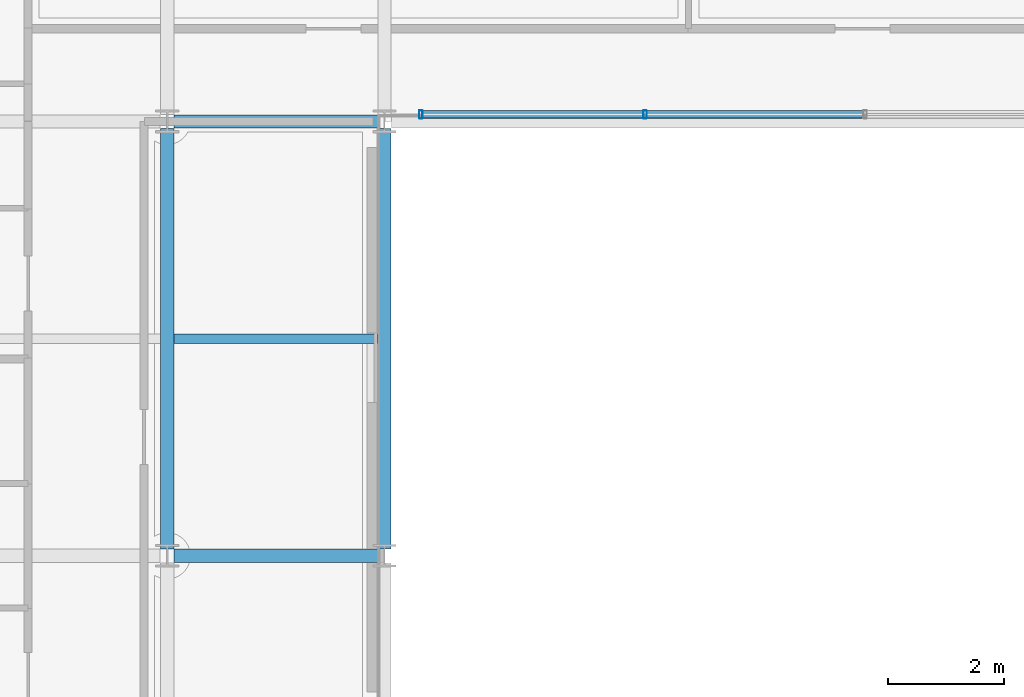
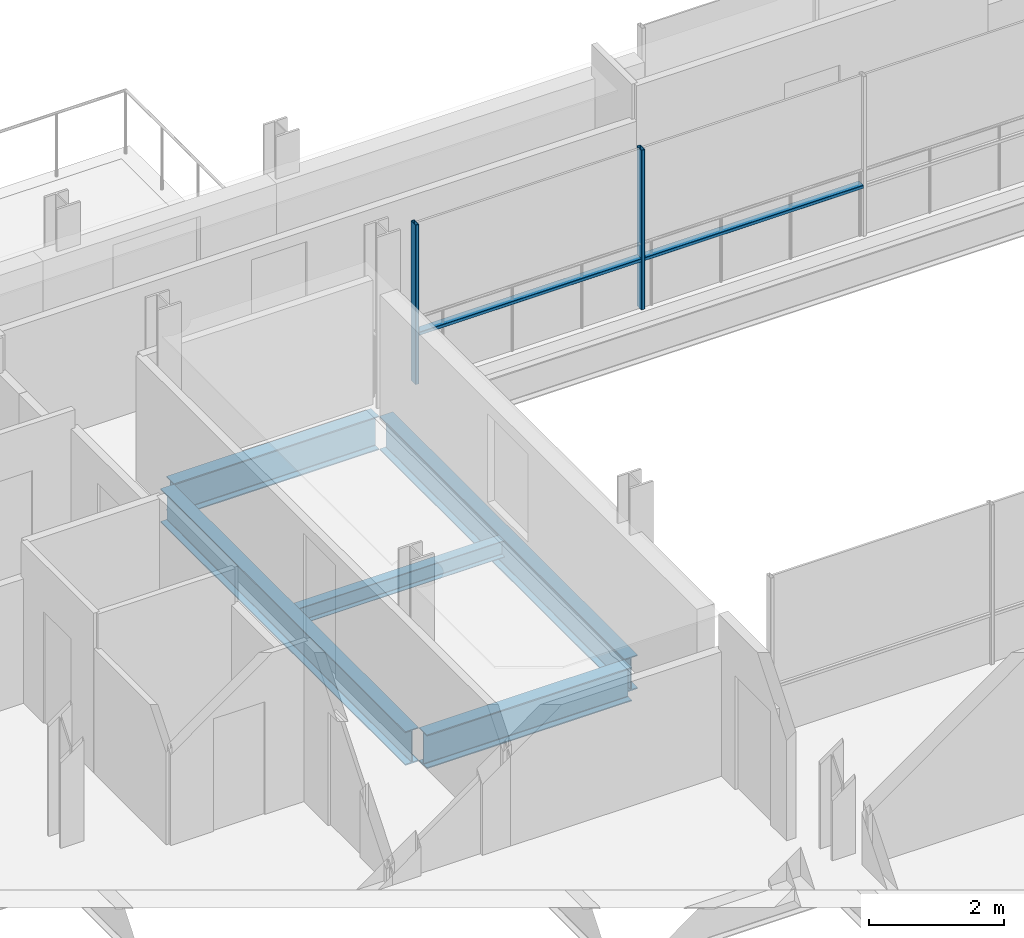
# One storey, part 9 of 38: 5 beams, 4 members, 1 element without a shape of its own.
"""IFC4 building model written with IfcOpenShell, lengths in metres."""

from ifc_helpers import new_model, si_unit, direction, frame, origin, origin_2d, place, context, subcontext, project, spatial, hollow_rectangle, i_section, extrude, material, layer, layer_set, material_profile, profile_set, type_object, element, aggregate, save


model = new_model("IFC4")

# Units and contexts
model_context = context("Model", 3, precision=1e-05, world=origin(), true_north=direction((0.0, 1.0)))
body_context = subcontext(model_context, "Body", "Model", "MODEL_VIEW")
ifc_project = project(units=[si_unit("LENGTHUNIT", "METRE"), si_unit("AREAUNIT", "SQUARE_METRE"), si_unit("VOLUMEUNIT", "CUBIC_METRE"), si_unit("PLANEANGLEUNIT", "RADIAN"), si_unit("MASSUNIT", "GRAM", prefix="KILO")], contexts=[model_context])

# Site, building, storey
site_placement = place(None, origin())
site = spatial("IfcSite", under=ifc_project, at=site_placement, CompositionType="ELEMENT")
building_placement = place(site_placement, origin())
building = spatial("IfcBuilding", under=site, at=building_placement, Name="Brevholm Reach", CompositionType="ELEMENT")
storey_placement = place(building_placement, frame((0.0, 0.0, 172.800048828125)))
storey = spatial("IfcBuildingStorey", under=building, at=storey_placement, Name="L52", CompositionType="ELEMENT", Elevation=172.800048828125)

# Beams
ifc_material_1 = material(Name="Structural Steel S355J2", Category="steel")
ifc_material_profile_1 = material_profile(ifc_material_1, i_section(OverallWidth=0.1650390625, OverallDepth=0.303466796875, WebThickness=0.006103515625, FlangeThickness=0.01025390625, FilletRadius=0.0087890625, at=origin_2d()), Name="UKB 305x165x40")
ifc_profile_set_1 = profile_set([ifc_material_profile_1], Name="Structural Steel S355J2")
beam_type_1 = type_object("IfcBeamType", Name="BM-B305", PredefinedType="BEAM", material=ifc_profile_set_1)
beam_placement = place(storey_placement, frame((18.114501953125, 19.75, -0.36181640625), z_axis=(1.0, 0.0, 0.0), x_axis=(0.0, 1.0, 0.0)))
element("IfcBeam", 1, at=beam_placement, inside=storey, type_object=beam_type_1, Name="L52 Composite Secondary Floor Beam", PredefinedType="BEAM", context=body_context, shape_type="SweptSolid", body=[
    extrude(i_section(OverallWidth=0.1650390625, OverallDepth=0.303466796875, WebThickness=0.006103515625, FlangeThickness=0.01025390625, FilletRadius=0.0087890625, at=origin_2d()), origin(), (0.0, 0.0, 1.0), 3.52099609375),
])
ifc_material_2 = material(Name="Structural Steel S355J2", Category="steel")
ifc_material_profile_2 = material_profile(ifc_material_2, i_section(OverallWidth=0.22900390625, OverallDepth=0.6123046875, WebThickness=0.011962890625, FlangeThickness=0.01953125, FilletRadius=0.0126953125, at=origin_2d()), Name="UKB 610x229x125")
ifc_profile_set_2 = profile_set([ifc_material_profile_2], Name="Structural Steel S355J2")
beam_type_2 = type_object("IfcBeamType", Name="BM-SP610", PredefinedType="SPANDREL", material=ifc_profile_set_2)
for number, where, z_axis, x_axis, name in (
    (2, (18.1201171875, 16.0, -0.51611328125), (1.0, 0.0, 0.0), (0.0, 1.0, 0.0), "L52 SP-01 Framing Beam"),
    (3, (18.1201171875, 23.5, -0.51611328125), (1.0, 0.0, 0.0), (0.0, 1.0, 0.0), "L52 SP-01 Framing Beam"),
):
    element("IfcBeam", number, at=place(storey_placement, frame(where, z_axis=z_axis, x_axis=x_axis)), inside=storey, type_object=beam_type_2, Name=name, PredefinedType="SPANDREL", context=body_context, shape_type="SweptSolid", body=[
        extrude(i_section(OverallWidth=0.22900390625, OverallDepth=0.6123046875, WebThickness=0.011962890625, FlangeThickness=0.01953125, FilletRadius=0.0126953125, at=origin_2d()), origin(), (0.0, 0.0, 1.0), 3.509765625),
    ])
for number, where, z_axis, x_axis, name in (
    (4, (18.0, 16.1201171875, -0.51611328125), (0.0, 1.0, 0.0), (-1.0, 0.0, 0.0), "L52 SP-01 Framing Beam"),
    (5, (21.75, 16.1201171875, -0.51611328125), (0.0, 1.0, 0.0), (-1.0, 0.0, 0.0), "L52 SP-01 Framing Beam"),
):
    element("IfcBeam", number, at=place(storey_placement, frame(where, z_axis=z_axis, x_axis=x_axis)), inside=storey, type_object=beam_type_2, Name=name, PredefinedType="SPANDREL", context=body_context, shape_type="SweptSolid", body=[
        extrude(i_section(OverallWidth=0.22900390625, OverallDepth=0.6123046875, WebThickness=0.011962890625, FlangeThickness=0.01953125, FilletRadius=0.0126953125, at=origin_2d()), origin(), (0.0, 0.0, 1.0), 7.259765625),
    ])

# Curtain wall, members
ifc_material_3 = material(Name="Dark Anodised Aluminium 6063-T6 and Solar-Control Glass", Category="aluminium")
ifc_layer = layer(ifc_material_3, 0.139892578125)
ifc_layer_set = layer_set([ifc_layer], Name="Dark Anodised Aluminium 6063-T6 and Solar-Control Glass")
curtain_wall_type = type_object("IfcCurtainWallType", Name="CW-02", PredefinedType="NOTDEFINED", material=ifc_layer_set)
curtain_wall_placement = place(storey_placement, origin())
curtain_wall = element("IfcCurtainWall", 6, at=curtain_wall_placement, inside=storey, type_object=curtain_wall_type, Name="L52 Curtain Wall CW-02", PredefinedType="NOTDEFINED")
ifc_material_4 = material(Name="Dark Anodised Aluminium 6063-T6", Category="aluminium")
ifc_material_profile_3 = material_profile(ifc_material_4, hollow_rectangle(XDim=0.06005859375, YDim=0.139892578125, WallThickness=0.0048828125, InnerFilletRadius=0.0048828125, OuterFilletRadius=0.010009765625, at=origin_2d()), Name="RHS 140x60x5")
ifc_profile_set_3 = profile_set([ifc_material_profile_3], Name="Dark Anodised Aluminium 6063-T6")
member_type_1 = type_object("IfcMemberType", Name="CWM-140", PredefinedType="MULLION", material=ifc_profile_set_3)
member_1_placement = place(storey_placement, frame((26.25, 23.6201171875, 0.0), z_axis=(0.0, 0.0, 1.0), x_axis=(-1.0, 0.0, 0.0)))
member_1 = element("IfcMember", 7, at=member_1_placement, type_object=member_type_1, Name="CM-140 Mullion 4", PredefinedType="MULLION", context=body_context, shape_type="SweptSolid", body=[
    extrude(hollow_rectangle(XDim=0.06005859375, YDim=0.139892578125, WallThickness=0.0048828125, InnerFilletRadius=0.0048828125, OuterFilletRadius=0.010009765625, at=origin_2d()), origin(), (0.0, 0.0, 1.0), 2.889892578125),
])
member_2_placement = place(storey_placement, frame((22.3798828125, 23.6201171875, 0.0), z_axis=(0.0, 0.0, 1.0), x_axis=(-1.0, 0.0, 0.0)))
member_2 = element("IfcMember", 8, at=member_2_placement, type_object=member_type_1, Name="CM-140 Mullion 5", PredefinedType="MULLION", context=body_context, shape_type="SweptSolid", body=[
    extrude(hollow_rectangle(XDim=0.06005859375, YDim=0.139892578125, WallThickness=0.0048828125, InnerFilletRadius=0.0048828125, OuterFilletRadius=0.010009765625, at=origin_2d()), origin(), (0.0, 0.0, 1.0), 2.889892578125),
])
ifc_material_5 = material(Name="Dark Anodised Aluminium 6063-T6", Category="aluminium")
ifc_material_profile_4 = material_profile(ifc_material_5, hollow_rectangle(XDim=0.06005859375, YDim=0.139892578125, WallThickness=0.0048828125, InnerFilletRadius=0.0048828125, OuterFilletRadius=0.010009765625, at=origin_2d()), Name="RHS 140x60x5")
ifc_profile_set_4 = profile_set([ifc_material_profile_4], Name="Dark Anodised Aluminium 6063-T6")
member_type_2 = type_object("IfcMemberType", Name="CWT-140", PredefinedType="NOTDEFINED", material=ifc_profile_set_4)
member_3_placement = place(storey_placement, frame((30.02001953125, 23.6201171875, 0.89990234375), z_axis=(-1.0, 0.0, 0.0), x_axis=(0.0, 0.0, 1.0)))
member_3 = element("IfcMember", 9, at=member_3_placement, type_object=member_type_2, Name="CT-140 Transom 3.1", ObjectType="TRANSOM", PredefinedType="USERDEFINED", context=body_context, shape_type="SweptSolid", body=[
    extrude(hollow_rectangle(XDim=0.06005859375, YDim=0.139892578125, WallThickness=0.0048828125, InnerFilletRadius=0.0048828125, OuterFilletRadius=0.010009765625, at=origin_2d()), origin(), (0.0, 0.0, 1.0), 3.739990234375),
])
member_4_placement = place(storey_placement, frame((26.219970703125, 23.6201171875, 0.89990234375), z_axis=(-1.0, 0.0, 0.0), x_axis=(0.0, 0.0, 1.0)))
member_4 = element("IfcMember", 10, at=member_4_placement, type_object=member_type_2, Name="CT-140 Transom 4.1", ObjectType="TRANSOM", PredefinedType="USERDEFINED", context=body_context, shape_type="SweptSolid", body=[
    extrude(hollow_rectangle(XDim=0.06005859375, YDim=0.139892578125, WallThickness=0.0048828125, InnerFilletRadius=0.0048828125, OuterFilletRadius=0.010009765625, at=origin_2d()), origin(), (0.0, 0.0, 1.0), 3.81005859375),
])
aggregate(curtain_wall, [member_1, member_2, member_3, member_4])

save(model, "model.ifc")
